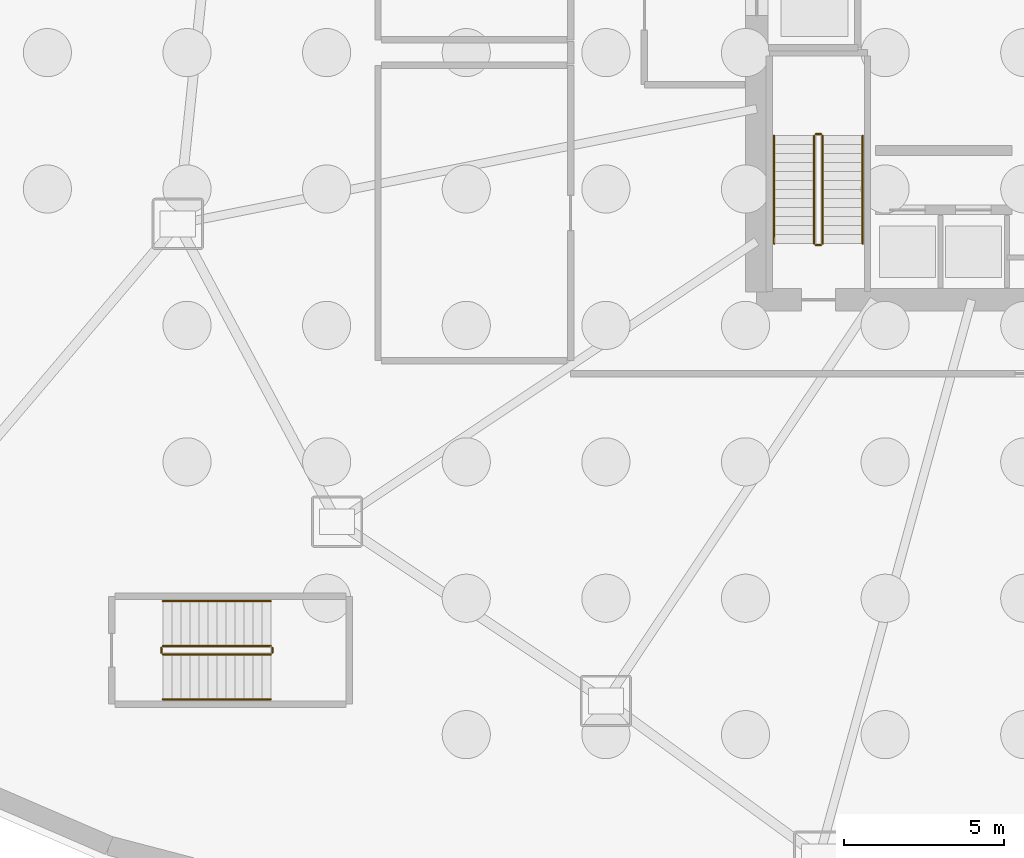
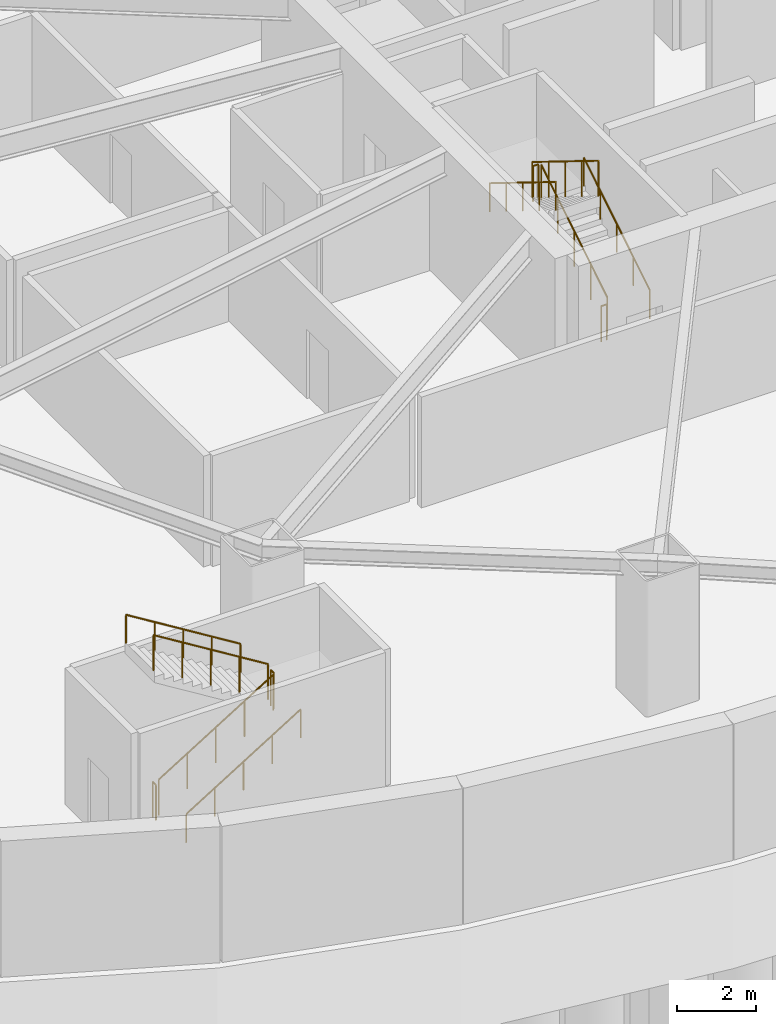
# One storey, part 6 of 10: 12 railings.
"""IFC4 building model written with IfcOpenShell, lengths in metres."""

from ifc_helpers import new_model, si_unit, direction, frame, origin, origin_2d, place, context, subcontext, project, spatial, circle, extrude, material, type_object, element, save


model = new_model("IFC4")

# Units and contexts
model_context = context("Model", 3, precision=1e-05, world=origin(), true_north=direction((0.0, 1.0)))
body_context = subcontext(model_context, "Body", "Model", "MODEL_VIEW")
ifc_project = project(units=[si_unit("LENGTHUNIT", "METRE"), si_unit("AREAUNIT", "SQUARE_METRE"), si_unit("VOLUMEUNIT", "CUBIC_METRE"), si_unit("PLANEANGLEUNIT", "RADIAN"), si_unit("MASSUNIT", "GRAM", prefix="KILO"), si_unit("THERMODYNAMICTEMPERATUREUNIT", "KELVIN")], contexts=[model_context])

# Site, building, storey
site_placement = place(None, origin())
site = spatial("IfcSite", under=ifc_project, at=site_placement, CompositionType="ELEMENT")
building_placement = place(site_placement, origin())
building = spatial("IfcBuilding", under=site, at=building_placement, Name="Kethvar Cultural Tower", CompositionType="ELEMENT")
storey_placement = place(building_placement, frame((0.0, 0.0, -9.0)))
storey = spatial("IfcBuildingStorey", under=building, at=storey_placement, Name="B02", CompositionType="ELEMENT", Elevation=-9.0)

# Railings
ifc_material = material(Name="Steel S355J2", Category="steel")
railing_type_1 = type_object("IfcRailingType", Name="RL-STAIR-GUARD", PredefinedType="BALUSTRADE", material=ifc_material)
railing_1_placement = place(storey_placement, frame((40.050048828125, 21.85009765625, 0.173095703125)))
element("IfcRailing", 1, at=railing_1_placement, inside=storey, type_object=railing_type_1, Name="B02 ST-01 stair guard 1", PredefinedType="BALUSTRADE", context=body_context, shape_type="SweptSolid", body=[
    extrude(circle(Radius=0.02392578125, at=origin_2d()), frame((0.0, 0.0, 1.09619140625), z_axis=(0.0, 0.850606129759, 0.525803396734), x_axis=(-1.0, 0.0, 0.0)), (0.0, 0.0, 1.0), 3.949951171875),
    extrude(circle(Radius=0.02099609375, at=origin_2d()), origin(), (0.0, 0.0, 1.0), 1.072021484375),
    extrude(circle(Radius=0.02099609375, at=origin_2d()), frame((0.0, 0.83984375, 0.519287109375)), (0.0, 0.0, 1.0), 1.072021484375),
    extrude(circle(Radius=0.02099609375, at=origin_2d()), frame((0.0, 1.679931640625, 1.03857421875)), (0.0, 0.0, 1.0), 1.072021484375),
    extrude(circle(Radius=0.02099609375, at=origin_2d()), frame((0.0, 2.52001953125, 1.5576171875)), (0.0, 0.0, 1.0), 1.072021484375),
    extrude(circle(Radius=0.02099609375, at=origin_2d()), frame((0.0, 3.35986328125, 2.076904296875)), (0.0, 0.0, 1.0), 1.072021484375),
])
railing_2_placement = place(storey_placement, frame((40.0, 25.260009765625, 2.25)))
element("IfcRailing", 2, at=railing_2_placement, inside=storey, type_object=railing_type_1, Name="B02 ST-01 stair guard 2", PredefinedType="BALUSTRADE", context=body_context, shape_type="SweptSolid", body=[
    extrude(circle(Radius=0.02392578125, at=origin_2d()), frame((0.0, 0.0, 1.09619140625), z_axis=(-1.0, 0.0, 0.0), x_axis=(0.0, -1.0, 0.0)), (0.0, 0.0, 1.0), 0.159912109375),
    extrude(circle(Radius=0.02099609375, at=origin_2d()), origin(), (0.0, 0.0, 1.0), 1.072021484375),
    extrude(circle(Radius=0.02099609375, at=origin_2d()), frame((-0.159912109375, 0.0, 0.0)), (0.0, 0.0, 1.0), 1.072021484375),
])
railing_3_placement = place(storey_placement, frame((39.7900390625, 25.2099609375, 2.423095703125)))
element("IfcRailing", 3, at=railing_3_placement, inside=storey, type_object=railing_type_1, Name="B02 ST-01 stair guard 3", PredefinedType="BALUSTRADE", context=body_context, shape_type="SweptSolid", body=[
    extrude(circle(Radius=0.02392578125, at=origin_2d()), frame((0.0, 0.0, 1.09619140625), z_axis=(0.0, -0.850606129759, 0.525803396734), x_axis=(1.0, 0.0, 0.0)), (0.0, 0.0, 1.0), 3.949951171875),
    extrude(circle(Radius=0.02099609375, at=origin_2d()), origin(), (0.0, 0.0, 1.0), 1.072021484375),
    extrude(circle(Radius=0.02099609375, at=origin_2d()), frame((0.0, -0.83984375, 0.519287109375)), (0.0, 0.0, 1.0), 1.072021484375),
    extrude(circle(Radius=0.02099609375, at=origin_2d()), frame((0.0, -1.679931640625, 1.03857421875)), (0.0, 0.0, 1.0), 1.072021484375),
    extrude(circle(Radius=0.02099609375, at=origin_2d()), frame((0.0, -2.52001953125, 1.5576171875)), (0.0, 0.0, 1.0), 1.072021484375),
    extrude(circle(Radius=0.02099609375, at=origin_2d()), frame((0.0, -3.35986328125, 2.076904296875)), (0.0, 0.0, 1.0), 1.072021484375),
])
railing_4_placement = place(storey_placement, frame((40.0, 21.800048828125, 0.0)))
element("IfcRailing", 4, at=railing_4_placement, inside=storey, type_object=railing_type_1, Name="B02 ST-01 stair guard 4", PredefinedType="BALUSTRADE", context=body_context, shape_type="SweptSolid", body=[
    extrude(circle(Radius=0.02392578125, at=origin_2d()), frame((0.0, 0.0, 1.09619140625), z_axis=(-1.0, 0.0, 0.0), x_axis=(0.0, -1.0, 0.0)), (0.0, 0.0, 1.0), 0.159912109375),
    extrude(circle(Radius=0.02099609375, at=origin_2d()), origin(), (0.0, 0.0, 1.0), 1.072021484375),
    extrude(circle(Radius=0.02099609375, at=origin_2d()), frame((-0.159912109375, 0.0, 0.0)), (0.0, 0.0, 1.0), 1.072021484375),
])
railing_5_placement = place(storey_placement, frame((19.5, 9.050048828125, 0.173095703125)))
element("IfcRailing", 5, at=railing_5_placement, inside=storey, type_object=railing_type_1, Name="B02 ST-04 stair guard 1", PredefinedType="BALUSTRADE", context=body_context, shape_type="SweptSolid", body=[
    extrude(circle(Radius=0.02392578125, at=origin_2d()), frame((0.0, 0.0, 1.09619140625), z_axis=(0.850623216509, 0.0, 0.525775754039), x_axis=(0.0, 1.0, 0.0)), (0.0, 0.0, 1.0), 3.9501953125),
    extrude(circle(Radius=0.02099609375, at=origin_2d()), origin(), (0.0, 0.0, 1.0), 1.072021484375),
    extrude(circle(Radius=0.02099609375, at=origin_2d()), frame((0.840087890625, 0.0, 0.519287109375)), (0.0, 0.0, 1.0), 1.072021484375),
    extrude(circle(Radius=0.02099609375, at=origin_2d()), frame((1.68017578125, 0.0, 1.03857421875)), (0.0, 0.0, 1.0), 1.072021484375),
    extrude(circle(Radius=0.02099609375, at=origin_2d()), frame((2.52001953125, 0.0, 1.5576171875)), (0.0, 0.0, 1.0), 1.072021484375),
    extrude(circle(Radius=0.02099609375, at=origin_2d()), frame((3.360107421875, 0.0, 2.076904296875)), (0.0, 0.0, 1.0), 1.072021484375),
])
railing_6_placement = place(storey_placement, frame((22.909912109375, 9.10009765625, 2.25)))
element("IfcRailing", 6, at=railing_6_placement, inside=storey, type_object=railing_type_1, Name="B02 ST-04 stair guard 2", PredefinedType="BALUSTRADE", context=body_context, shape_type="SweptSolid", body=[
    extrude(circle(Radius=0.02392578125, at=origin_2d()), frame((0.0, 0.0, 1.09619140625), z_axis=(0.0, 1.0, 0.0), x_axis=(-1.0, 0.0, 0.0)), (0.0, 0.0, 1.0), 0.159912109375),
    extrude(circle(Radius=0.02099609375, at=origin_2d()), origin(), (0.0, 0.0, 1.0), 1.072021484375),
    extrude(circle(Radius=0.02099609375, at=origin_2d()), frame((0.0, 0.159912109375, 0.0)), (0.0, 0.0, 1.0), 1.072021484375),
])
railing_7_placement = place(storey_placement, frame((22.860107421875, 9.31005859375, 2.423095703125)))
element("IfcRailing", 7, at=railing_7_placement, inside=storey, type_object=railing_type_1, Name="B02 ST-04 stair guard 3", PredefinedType="BALUSTRADE", context=body_context, shape_type="SweptSolid", body=[
    extrude(circle(Radius=0.02392578125, at=origin_2d()), frame((0.0, 0.0, 1.09619140625), z_axis=(-0.850623216509, 0.0, 0.525775754039), x_axis=(0.0, -1.0, 0.0)), (0.0, 0.0, 1.0), 3.9501953125),
    extrude(circle(Radius=0.02099609375, at=origin_2d()), origin(), (0.0, 0.0, 1.0), 1.072021484375),
    extrude(circle(Radius=0.02099609375, at=origin_2d()), frame((-0.840087890625, 0.0, 0.519287109375)), (0.0, 0.0, 1.0), 1.072021484375),
    extrude(circle(Radius=0.02099609375, at=origin_2d()), frame((-1.68017578125, 0.0, 1.03857421875)), (0.0, 0.0, 1.0), 1.072021484375),
    extrude(circle(Radius=0.02099609375, at=origin_2d()), frame((-2.52001953125, 0.0, 1.5576171875)), (0.0, 0.0, 1.0), 1.072021484375),
    extrude(circle(Radius=0.02099609375, at=origin_2d()), frame((-3.360107421875, 0.0, 2.076904296875)), (0.0, 0.0, 1.0), 1.072021484375),
])
railing_8_placement = place(storey_placement, frame((19.449951171875, 9.10009765625, 0.0)))
element("IfcRailing", 8, at=railing_8_placement, inside=storey, type_object=railing_type_1, Name="B02 ST-04 stair guard 4", PredefinedType="BALUSTRADE", context=body_context, shape_type="SweptSolid", body=[
    extrude(circle(Radius=0.02392578125, at=origin_2d()), frame((0.0, 0.0, 1.09619140625), z_axis=(0.0, 1.0, 0.0), x_axis=(-1.0, 0.0, 0.0)), (0.0, 0.0, 1.0), 0.159912109375),
    extrude(circle(Radius=0.02099609375, at=origin_2d()), origin(), (0.0, 0.0, 1.0), 1.072021484375),
    extrude(circle(Radius=0.02099609375, at=origin_2d()), frame((0.0, 0.159912109375, 0.0)), (0.0, 0.0, 1.0), 1.072021484375),
])
railing_type_2 = type_object("IfcRailingType", Name="RL-STAIR-HANDRAIL", PredefinedType="HANDRAIL", material=ifc_material)
railing_9_placement = place(storey_placement, frame((41.300048828125, 21.85009765625, 0.173095703125)))
element("IfcRailing", 9, at=railing_9_placement, inside=storey, type_object=railing_type_2, Name="B02 ST-01 stair handrail 1", PredefinedType="HANDRAIL", context=body_context, shape_type="SweptSolid", body=[
    extrude(circle(Radius=0.02392578125, at=origin_2d()), frame((0.0, 0.0, 0.8759765625), z_axis=(0.0, 0.850606129759, 0.525803396734), x_axis=(-1.0, 0.0, 0.0)), (0.0, 0.0, 1.0), 3.949951171875),
    extrude(circle(Radius=0.02099609375, at=origin_2d()), origin(), (0.0, 0.0, 1.0), 0.851806640625),
    extrude(circle(Radius=0.02099609375, at=origin_2d()), frame((0.0, 0.83984375, 0.519287109375)), (0.0, 0.0, 1.0), 0.851806640625),
    extrude(circle(Radius=0.02099609375, at=origin_2d()), frame((0.0, 1.679931640625, 1.03857421875)), (0.0, 0.0, 1.0), 0.851806640625),
    extrude(circle(Radius=0.02099609375, at=origin_2d()), frame((0.0, 2.52001953125, 1.5576171875)), (0.0, 0.0, 1.0), 0.851806640625),
    extrude(circle(Radius=0.02099609375, at=origin_2d()), frame((0.0, 3.35986328125, 2.076904296875)), (0.0, 0.0, 1.0), 0.851806640625),
])
railing_10_placement = place(storey_placement, frame((38.5400390625, 25.2099609375, 2.423095703125)))
element("IfcRailing", 10, at=railing_10_placement, inside=storey, type_object=railing_type_2, Name="B02 ST-01 stair handrail 2", PredefinedType="HANDRAIL", context=body_context, shape_type="SweptSolid", body=[
    extrude(circle(Radius=0.02392578125, at=origin_2d()), frame((0.0, 0.0, 0.8759765625), z_axis=(0.0, -0.850606129759, 0.525803396734), x_axis=(1.0, 0.0, 0.0)), (0.0, 0.0, 1.0), 3.949951171875),
    extrude(circle(Radius=0.02099609375, at=origin_2d()), origin(), (0.0, 0.0, 1.0), 0.851806640625),
    extrude(circle(Radius=0.02099609375, at=origin_2d()), frame((0.0, -0.83984375, 0.519287109375)), (0.0, 0.0, 1.0), 0.851806640625),
    extrude(circle(Radius=0.02099609375, at=origin_2d()), frame((0.0, -1.679931640625, 1.03857421875)), (0.0, 0.0, 1.0), 0.851806640625),
    extrude(circle(Radius=0.02099609375, at=origin_2d()), frame((0.0, -2.52001953125, 1.5576171875)), (0.0, 0.0, 1.0), 0.851806640625),
    extrude(circle(Radius=0.02099609375, at=origin_2d()), frame((0.0, -3.35986328125, 2.076904296875)), (0.0, 0.0, 1.0), 0.851806640625),
])
railing_11_placement = place(storey_placement, frame((19.5, 7.64990234375, 0.173095703125)))
element("IfcRailing", 11, at=railing_11_placement, inside=storey, type_object=railing_type_2, Name="B02 ST-04 stair handrail 1", PredefinedType="HANDRAIL", context=body_context, shape_type="SweptSolid", body=[
    extrude(circle(Radius=0.02392578125, at=origin_2d()), frame((0.0, 0.0, 0.8759765625), z_axis=(0.850623216509, 0.0, 0.525775754039), x_axis=(0.0, 1.0, 0.0)), (0.0, 0.0, 1.0), 3.9501953125),
    extrude(circle(Radius=0.02099609375, at=origin_2d()), origin(), (0.0, 0.0, 1.0), 0.851806640625),
    extrude(circle(Radius=0.02099609375, at=origin_2d()), frame((0.840087890625, 0.0, 0.519287109375)), (0.0, 0.0, 1.0), 0.851806640625),
    extrude(circle(Radius=0.02099609375, at=origin_2d()), frame((1.68017578125, 0.0, 1.03857421875)), (0.0, 0.0, 1.0), 0.851806640625),
    extrude(circle(Radius=0.02099609375, at=origin_2d()), frame((2.52001953125, 0.0, 1.5576171875)), (0.0, 0.0, 1.0), 0.851806640625),
    extrude(circle(Radius=0.02099609375, at=origin_2d()), frame((3.360107421875, 0.0, 2.076904296875)), (0.0, 0.0, 1.0), 0.851806640625),
])
railing_12_placement = place(storey_placement, frame((22.860107421875, 10.7099609375, 2.423095703125)))
element("IfcRailing", 12, at=railing_12_placement, inside=storey, type_object=railing_type_2, Name="B02 ST-04 stair handrail 2", PredefinedType="HANDRAIL", context=body_context, shape_type="SweptSolid", body=[
    extrude(circle(Radius=0.02392578125, at=origin_2d()), frame((0.0, 0.0, 0.8759765625), z_axis=(-0.850623216509, 0.0, 0.525775754039), x_axis=(0.0, -1.0, 0.0)), (0.0, 0.0, 1.0), 3.9501953125),
    extrude(circle(Radius=0.02099609375, at=origin_2d()), origin(), (0.0, 0.0, 1.0), 0.851806640625),
    extrude(circle(Radius=0.02099609375, at=origin_2d()), frame((-0.840087890625, 0.0, 0.519287109375)), (0.0, 0.0, 1.0), 0.851806640625),
    extrude(circle(Radius=0.02099609375, at=origin_2d()), frame((-1.68017578125, 0.0, 1.03857421875)), (0.0, 0.0, 1.0), 0.851806640625),
    extrude(circle(Radius=0.02099609375, at=origin_2d()), frame((-2.52001953125, 0.0, 1.5576171875)), (0.0, 0.0, 1.0), 0.851806640625),
    extrude(circle(Radius=0.02099609375, at=origin_2d()), frame((-3.360107421875, 0.0, 2.076904296875)), (0.0, 0.0, 1.0), 0.851806640625),
])

save(model, "model.ifc")
